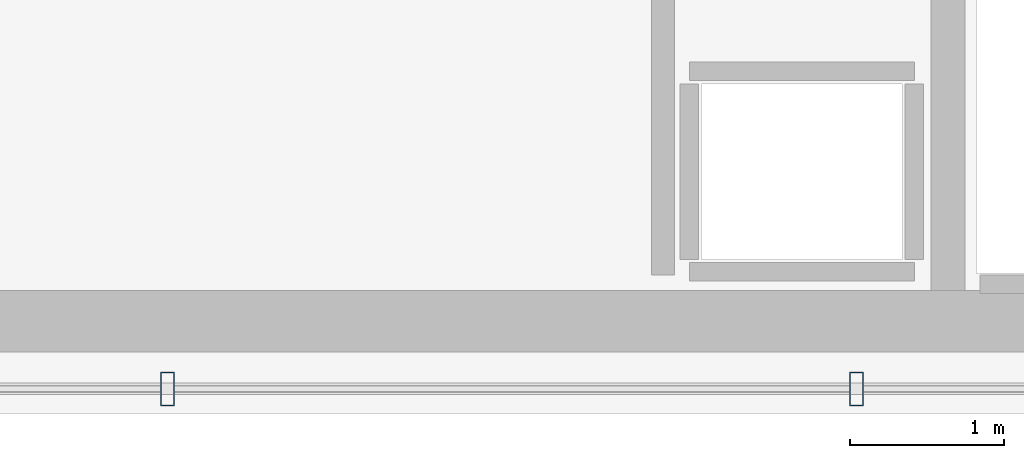
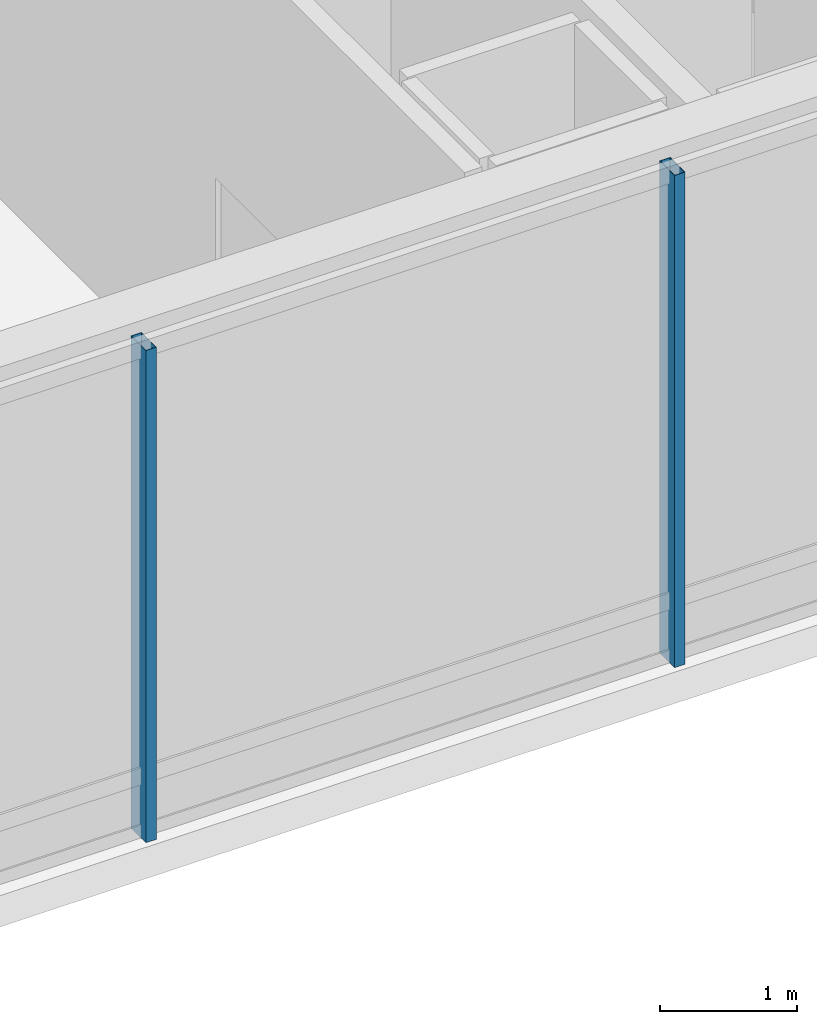
# One storey, part 7 of 25: 2 members, 1 element without a shape of its own.
"""IFC4 building model written with IfcOpenShell, lengths in metres."""

from ifc_helpers import new_model, si_unit, direction, frame, origin, origin_2d, place, context, subcontext, project, spatial, hollow_rectangle, extrude, material, layer, layer_set, material_profile, profile_set, type_object, element, aggregate, save


model = new_model("IFC4")

# Units and contexts
model_context = context("Model", 3, precision=1e-05, world=origin(), true_north=direction((0.0, 1.0)))
body_context = subcontext(model_context, "Body", "Model", "MODEL_VIEW")
ifc_project = project(units=[si_unit("LENGTHUNIT", "METRE"), si_unit("AREAUNIT", "SQUARE_METRE"), si_unit("VOLUMEUNIT", "CUBIC_METRE"), si_unit("PLANEANGLEUNIT", "RADIAN"), si_unit("MASSUNIT", "GRAM", prefix="KILO")], contexts=[model_context])

# Site, building, storey
site_placement = place(None, origin())
site = spatial("IfcSite", under=ifc_project, at=site_placement, CompositionType="ELEMENT")
building_placement = place(site_placement, origin())
building = spatial("IfcBuilding", under=site, at=building_placement, Name="Ndaravel Arena Tower", CompositionType="ELEMENT")
storey_placement = place(building_placement, frame((0.0, 0.0, 303.300048828125)))
storey = spatial("IfcBuildingStorey", under=building, at=storey_placement, Name="L74", CompositionType="ELEMENT", Elevation=303.300048828125)

# Curtain wall, members
ifc_material_1 = material(Name="Aluminium", Category="aluminium")
ifc_layer = layer(ifc_material_1, 0.179931640625)
ifc_layer_set = layer_set([ifc_layer], Name="Aluminium")
curtain_wall_type = type_object("IfcCurtainWallType", Name="CW-SYS-04", PredefinedType="NOTDEFINED", material=ifc_layer_set)
curtain_wall_placement = place(storey_placement, origin())
curtain_wall = element("IfcCurtainWall", 1, at=curtain_wall_placement, inside=storey, type_object=curtain_wall_type, Name="L74 Faceted Crystal Curtain Wall CW-L74-E01", PredefinedType="NOTDEFINED")
ifc_material_2 = material(Name="Aluminium", Category="aluminium")
ifc_material_profile = material_profile(ifc_material_2, hollow_rectangle(XDim=0.090087890625, YDim=0.219970703125, WallThickness=0.0048828125, at=origin_2d()), Name="CW MULLION 90x220x5")
ifc_profile_set = profile_set([ifc_material_profile], Name="Aluminium")
member_type = type_object("IfcMemberType", Name="MEM-CW-MUL220", PredefinedType="MULLION", material=ifc_profile_set)
member_1_placement = place(storey_placement, frame((44.235107421875, 5.159912109375, 0.0), z_axis=(0.0, 0.0, 1.0), x_axis=(1.0, 0.0, 0.0)))
member_1 = element("IfcMember", 2, at=member_1_placement, type_object=member_type, Name="CW-L74-E01 Mullion 05", PredefinedType="MULLION", context=body_context, shape_type="SweptSolid", body=[
    extrude(hollow_rectangle(XDim=0.090087890625, YDim=0.219970703125, WallThickness=0.0048828125, at=origin_2d()), origin(), (0.0, 0.0, 1.0), 4.39990234375),
])
member_2_placement = place(storey_placement, frame((48.705078125, 5.159912109375, 0.0), z_axis=(0.0, 0.0, 1.0), x_axis=(1.0, 0.0, 0.0)))
member_2 = element("IfcMember", 3, at=member_2_placement, type_object=member_type, Name="CW-L74-E01 Mullion 06", PredefinedType="MULLION", context=body_context, shape_type="SweptSolid", body=[
    extrude(hollow_rectangle(XDim=0.090087890625, YDim=0.219970703125, WallThickness=0.0048828125, at=origin_2d()), origin(), (0.0, 0.0, 1.0), 4.39990234375),
])
aggregate(curtain_wall, [member_1, member_2])

save(model, "model.ifc")
